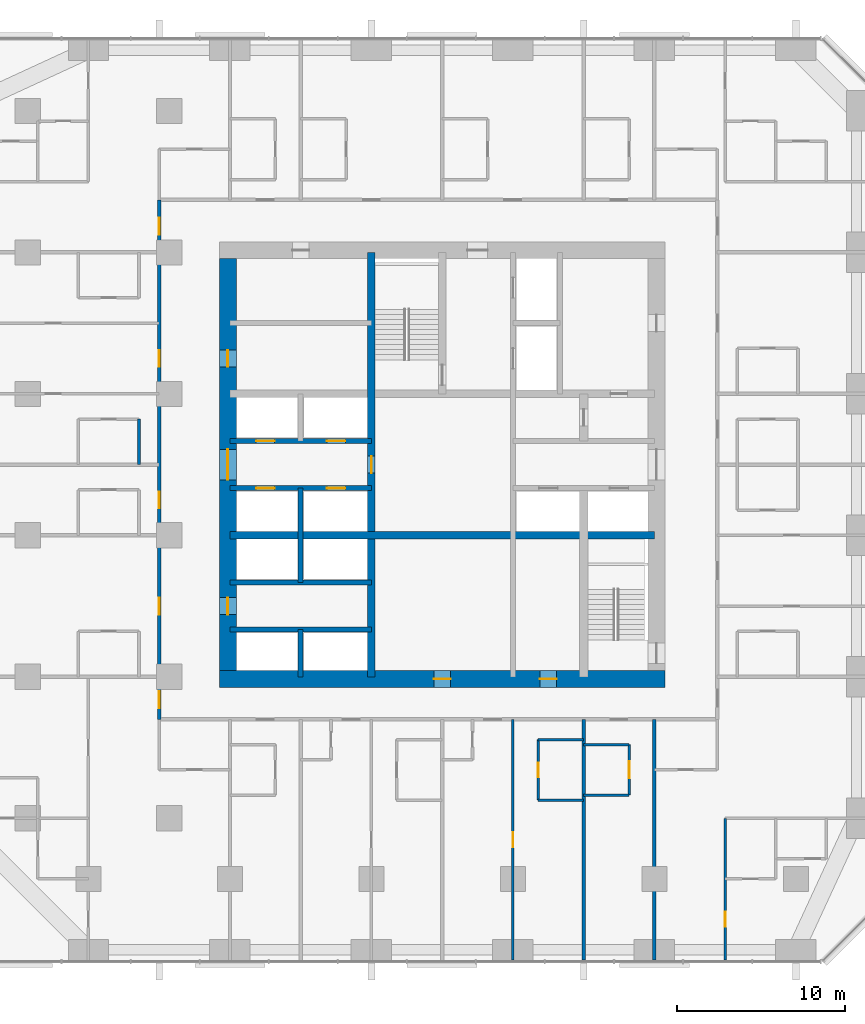
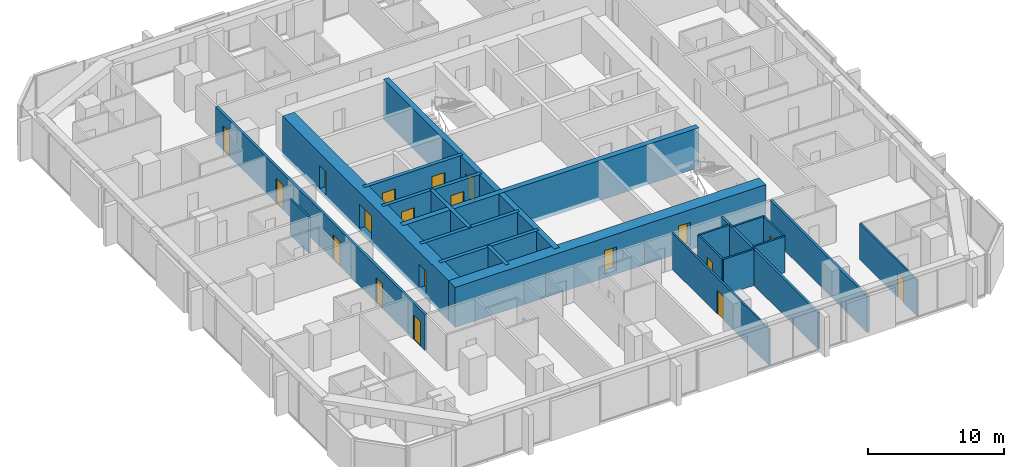
# One storey, part 9 of 14: 22 walls, 19 doors, 19 openings.
"""IFC4 building model written with IfcOpenShell, lengths in metres."""

from ifc_helpers import new_model, si_unit, direction, frame, frame_2d, origin, place, context, subcontext, project, spatial, rectangle, extrude, material, layer, layer_set, type_object, element, fill, save


model = new_model("IFC4")

# Units and contexts
model_context = context("Model", 3, precision=1e-05, world=origin(), true_north=direction((0.0, 1.0)))
body_context = subcontext(model_context, "Body", "Model", "MODEL_VIEW")
ifc_project = project(units=[si_unit("LENGTHUNIT", "METRE"), si_unit("AREAUNIT", "SQUARE_METRE"), si_unit("VOLUMEUNIT", "CUBIC_METRE"), si_unit("PLANEANGLEUNIT", "RADIAN"), si_unit("MASSUNIT", "GRAM", prefix="KILO")], contexts=[model_context])

# Site, building, storey
site_placement = place(None, origin())
site = spatial("IfcSite", under=ifc_project, at=site_placement, CompositionType="ELEMENT")
building_placement = place(site_placement, origin())
building = spatial("IfcBuilding", under=site, at=building_placement, Name="Dunama Terrace Hotel", CompositionType="ELEMENT")
storey_placement = place(building_placement, frame((0.0, 0.0, 136.800048828125)))
storey = spatial("IfcBuildingStorey", under=building, at=storey_placement, Name="L35", CompositionType="ELEMENT", Elevation=136.800048828125)

# Wall
ifc_material_1 = material(Name="Gypsum board partition", Category="masonry")
ifc_layer_1 = layer(ifc_material_1, 0.14990234375)
ifc_layer_set_1 = layer_set([ifc_layer_1], Name="Bathroom partition 150")
wall_type_1 = type_object("IfcWallType", Name="Bathroom partition 150", PredefinedType="PARTITIONING", material=ifc_layer_set_1)
wall_1_placement = place(storey_placement, frame((11.39990234375, 29.39990234375, 0.0), z_axis=(0.0, 0.0, 1.0), x_axis=(0.0, 1.0, 0.0)))
element("IfcWall", 1, at=wall_1_placement, inside=storey, type_object=wall_type_1, Name="Bathroom partition 150 L35", PredefinedType="PARTITIONING", context=body_context, shape_type="SweptSolid", body=[
    extrude(rectangle(XDim=2.7001953125, YDim=0.14990234375, at=frame_2d((1.35009765625, 0.0))), origin(), (0.0, 0.0, 1.0), 3.25),
])

# Wall, opening, door
wall_2_placement = place(storey_placement, frame((35.10009765625, 9.47509765625, 0.0), z_axis=(0.0, 0.0, 1.0), x_axis=(0.0, 1.0, 0.0)))
wall_2 = element("IfcWall", 2, at=wall_2_placement, inside=storey, type_object=wall_type_1, Name="Bathroom partition 150 L35", PredefinedType="PARTITIONING", context=body_context, shape_type="SweptSolid", body=[
    extrude(rectangle(XDim=3.599853515625, YDim=0.14990234375, at=frame_2d((1.7998046875, 0.0))), origin(), (0.0, 0.0, 1.0), 3.25),
])
opening_1_placement = place(wall_2_placement, frame((1.375, 0.0, 0.0)))
opening_1 = element("IfcOpeningElement", 3, at=opening_1_placement, cuts=wall_2, Name="Opening L34-36-020", PredefinedType="OPENING", context=body_context, shape_type="SweptSolid", body=[
    extrude(rectangle(XDim=0.85009765625, YDim=2.10009765625, at=frame_2d((0.425048828125, 1.050048828125))), frame((0.0, 0.0849609375, 0.0), z_axis=(0.0, -1.0, 0.0), x_axis=(1.0, 0.0, 0.0)), (0.0, 0.0, 1.0), 0.169921875),
])
ifc_material_2 = material(Name="Timber door with steel frame", Category="steel")
door_type_1 = type_object("IfcDoorType", Name="Bathroom door 850", OperationType="SINGLE_SWING_LEFT", PredefinedType="DOOR", material=ifc_material_2)
door_1_placement = place(opening_1_placement, frame((0.85009765625, 0.0, 0.0), z_axis=(0.0, 0.0, 1.0), x_axis=(-1.0, 0.0, 0.0)))
door_1 = element("IfcDoor", 4, at=door_1_placement, inside=storey, type_object=door_type_1, Name="Door to en-suite bathroom L34-36-020, type D2", OperationType="SINGLE_SWING_RIGHT", OverallHeight=2.10009765625, OverallWidth=0.85009765625, PredefinedType="DOOR", context=body_context, shape_type="SweptSolid", body=[
    extrude(rectangle(XDim=0.85009765625, YDim=2.10009765625, at=frame_2d((0.425048828125, 1.050048828125))), frame((0.0, 0.025146484375, 0.0), z_axis=(0.0, -1.0, 0.0), x_axis=(1.0, 0.0, 0.0)), (0.0, 0.0, 1.0), 0.050048828125),
])
fill(opening_1, door_1)

wall_3_placement = place(storey_placement, frame((40.5, 9.77490234375, 0.0), z_axis=(0.0, 0.0, 1.0), x_axis=(0.0, 1.0, 0.0)))
wall_3 = element("IfcWall", 5, at=wall_3_placement, inside=storey, type_object=wall_type_1, Name="Bathroom partition 150 L35", PredefinedType="PARTITIONING", context=body_context, shape_type="SweptSolid", body=[
    extrude(rectangle(XDim=3.0, YDim=0.14990234375, at=frame_2d((1.5, 0.0))), origin(), (0.0, 0.0, 1.0), 3.25),
])
opening_2_placement = place(wall_3_placement, frame((1.0, 0.0, 0.0)))
opening_2 = element("IfcOpeningElement", 6, at=opening_2_placement, cuts=wall_3, Name="Opening L34-36-022", PredefinedType="OPENING", context=body_context, shape_type="SweptSolid", body=[
    extrude(rectangle(XDim=1.0, YDim=2.10009765625, at=frame_2d((0.5, 1.050048828125))), frame((0.0, 0.0849609375, 0.0), z_axis=(0.0, -1.0, 0.0), x_axis=(1.0, 0.0, 0.0)), (0.0, 0.0, 1.0), 0.169921875),
])
ifc_material_3 = material(Name="Timber door with steel frame", Category="steel")
door_type_2 = type_object("IfcDoorType", Name="Accessible room door 1000", OperationType="SINGLE_SWING_LEFT", PredefinedType="DOOR", material=ifc_material_3)
door_2_placement = place(opening_2_placement, origin())
door_2 = element("IfcDoor", 7, at=door_2_placement, inside=storey, type_object=door_type_2, Name="Door to accessible en-suite bathroom L34-36-022, type D17", OperationType="SINGLE_SWING_LEFT", OverallHeight=2.10009765625, OverallWidth=1.0, PredefinedType="DOOR", context=body_context, shape_type="SweptSolid", body=[
    extrude(rectangle(XDim=1.0, YDim=2.10009765625, at=frame_2d((0.5, 1.050048828125))), frame((0.0, 0.02490234375, 0.0), z_axis=(0.0, -1.0, 0.0), x_axis=(1.0, 0.0, 0.0)), (0.0, 0.0, 1.0), 0.050048828125),
])
fill(opening_2, door_2)

# Walls
for number, where, z_axis, x_axis, name in (
    (8, (35.10009765625, 9.47509765625, 0.0), (0.0, 0.0, 1.0), (1.0, 0.0, 0.0), "Bathroom partition 150 L35"),
    (9, (37.800048828125, 9.77490234375, 0.0), (0.0, 0.0, 1.0), (1.0, 0.0, 0.0), "Bathroom partition 150 L35"),
    (10, (37.800048828125, 12.77490234375, 0.0), (0.0, 0.0, 1.0), (1.0, 0.0, 0.0), "Bathroom partition 150 L35"),
    (11, (35.10009765625, 13.074951171875, 0.0), (0.0, 0.0, 1.0), (1.0, 0.0, 0.0), "Bathroom partition 150 L35"),
):
    element("IfcWall", number, at=place(storey_placement, frame(where, z_axis=z_axis, x_axis=x_axis)), inside=storey, type_object=wall_type_1, Name=name, PredefinedType="PARTITIONING", context=body_context, shape_type="SweptSolid", body=[
        extrude(rectangle(XDim=2.699951171875, YDim=0.14990234375, at=frame_2d((1.35009765625, 0.0))), origin(), (0.0, 0.0, 1.0), 3.25),
    ])
ifc_material_4 = material(Name="Concrete C50/60", Category="concrete")
ifc_layer_2 = layer(ifc_material_4, 0.300048828125)
ifc_layer_set_2 = layer_set([ifc_layer_2], Name="Core inner wall 300")
wall_type_2 = type_object("IfcWallType", Name="Core inner wall 300", PredefinedType="SHEAR", material=ifc_layer_set_2)
wall_4_placement = place(storey_placement, frame((21.0, 16.800048828125, -0.35009765625), z_axis=(0.0, 0.0, 1.0), x_axis=(0.0, 1.0, 0.0)))
element("IfcWall", 12, at=wall_4_placement, inside=storey, type_object=wall_type_2, Name="Core inner wall 300 L35", PredefinedType="SHEAR", context=body_context, shape_type="SweptSolid", body=[
    extrude(rectangle(XDim=2.800048828125, YDim=0.300048828125, at=frame_2d((1.39990234375, 0.0))), origin(), (0.0, 0.0, 1.0), 3.60009765625),
])
wall_5_placement = place(storey_placement, frame((21.0, 22.39990234375, -0.35009765625), z_axis=(0.0, 0.0, 1.0), x_axis=(0.0, 1.0, 0.0)))
element("IfcWall", 13, at=wall_5_placement, inside=storey, type_object=wall_type_2, Name="Core inner wall 300 L35", PredefinedType="SHEAR", context=body_context, shape_type="SweptSolid", body=[
    extrude(rectangle(XDim=5.60009765625, YDim=0.300048828125, at=frame_2d((2.800048828125, 0.0))), origin(), (0.0, 0.0, 1.0), 3.60009765625),
])
for number, where, z_axis, x_axis, name in (
    (14, (16.800048828125, 19.60009765625, -0.35009765625), (0.0, 0.0, 1.0), (1.0, 0.0, 0.0), "Core inner wall 300 L35"),
    (15, (16.800048828125, 22.39990234375, -0.35009765625), (0.0, 0.0, 1.0), (1.0, 0.0, 0.0), "Core inner wall 300 L35"),
):
    element("IfcWall", number, at=place(storey_placement, frame(where, z_axis=z_axis, x_axis=x_axis)), inside=storey, type_object=wall_type_2, Name=name, PredefinedType="SHEAR", context=body_context, shape_type="SweptSolid", body=[
        extrude(rectangle(XDim=8.39990234375, YDim=0.300048828125, at=frame_2d((4.199951171875, 0.0))), origin(), (0.0, 0.0, 1.0), 3.60009765625),
    ])

# Wall, openings, doors
wall_6_placement = place(storey_placement, frame((16.800048828125, 28.0, -0.35009765625), z_axis=(0.0, 0.0, 1.0), x_axis=(1.0, 0.0, 0.0)))
wall_6 = element("IfcWall", 16, at=wall_6_placement, inside=storey, type_object=wall_type_2, Name="Core inner wall 300 L35", PredefinedType="SHEAR", context=body_context, shape_type="SweptSolid", body=[
    extrude(rectangle(XDim=8.39990234375, YDim=0.300048828125, at=frame_2d((4.199951171875, 0.0))), origin(), (0.0, 0.0, 1.0), 3.60009765625),
])
opening_3_placement = place(wall_6_placement, frame((1.550048828125, 0.0, 0.35009765625)))
opening_3 = element("IfcOpeningElement", 17, at=opening_3_placement, cuts=wall_6, Name="Opening L34-36-005", PredefinedType="OPENING", context=body_context, shape_type="SweptSolid", body=[
    extrude(rectangle(XDim=1.10009765625, YDim=2.199951171875, at=frame_2d((0.550048828125, 1.10009765625))), frame((0.0, 0.159912109375, 0.0), z_axis=(0.0, -1.0, 0.0), x_axis=(1.0, 0.0, 0.0)), (0.0, 0.0, 1.0), 0.320068359375),
])
opening_4_placement = place(wall_6_placement, frame((5.75, 0.0, 0.35009765625)))
opening_4 = element("IfcOpeningElement", 18, at=opening_4_placement, cuts=wall_6, Name="Opening L34-36-006", PredefinedType="OPENING", context=body_context, shape_type="SweptSolid", body=[
    extrude(rectangle(XDim=1.10009765625, YDim=2.199951171875, at=frame_2d((0.550048828125, 1.10009765625))), frame((0.0, 0.159912109375, 0.0), z_axis=(0.0, -1.0, 0.0), x_axis=(1.0, 0.0, 0.0)), (0.0, 0.0, 1.0), 0.320068359375),
])
ifc_material_5 = material(Name="Stainless steel lift door", Category="steel")
door_type_3 = type_object("IfcDoorType", Name="Lift landing door 1100", OperationType="DOUBLE_DOOR_SLIDING", PredefinedType="DOOR", material=ifc_material_5)
door_3_placement = place(opening_3_placement, origin())
door_3 = element("IfcDoor", 19, at=door_3_placement, inside=storey, type_object=door_type_3, Name="Landing door PC1 L34-36-005, type LD1", OperationType="DOUBLE_DOOR_SLIDING", OverallHeight=2.199951171875, OverallWidth=1.10009765625, PredefinedType="DOOR", context=body_context, shape_type="SweptSolid", body=[
    extrude(rectangle(XDim=1.10009765625, YDim=2.199951171875, at=frame_2d((0.550048828125, 1.10009765625))), frame((0.0, 0.02490234375, 0.0), z_axis=(0.0, -1.0, 0.0), x_axis=(1.0, 0.0, 0.0)), (0.0, 0.0, 1.0), 0.050048828125),
])
fill(opening_3, door_3)
door_4_placement = place(opening_4_placement, origin())
door_4 = element("IfcDoor", 20, at=door_4_placement, inside=storey, type_object=door_type_3, Name="Landing door PC2 L34-36-006, type LD1", OperationType="DOUBLE_DOOR_SLIDING", OverallHeight=2.199951171875, OverallWidth=1.10009765625, PredefinedType="DOOR", context=body_context, shape_type="SweptSolid", body=[
    extrude(rectangle(XDim=1.10009765625, YDim=2.199951171875, at=frame_2d((0.550048828125, 1.10009765625))), frame((0.0, 0.02490234375, 0.0), z_axis=(0.0, -1.0, 0.0), x_axis=(1.0, 0.0, 0.0)), (0.0, 0.0, 1.0), 0.050048828125),
])
fill(opening_4, door_4)

wall_7_placement = place(storey_placement, frame((16.800048828125, 30.800048828125, -0.35009765625), z_axis=(0.0, 0.0, 1.0), x_axis=(1.0, 0.0, 0.0)))
wall_7 = element("IfcWall", 21, at=wall_7_placement, inside=storey, type_object=wall_type_2, Name="Core inner wall 300 L35", PredefinedType="SHEAR", context=body_context, shape_type="SweptSolid", body=[
    extrude(rectangle(XDim=8.39990234375, YDim=0.300048828125, at=frame_2d((4.199951171875, 0.0))), origin(), (0.0, 0.0, 1.0), 3.60009765625),
])
opening_5_placement = place(wall_7_placement, frame((1.550048828125, 0.0, 0.35009765625)))
opening_5 = element("IfcOpeningElement", 22, at=opening_5_placement, cuts=wall_7, Name="Opening L34-36-007", PredefinedType="OPENING", context=body_context, shape_type="SweptSolid", body=[
    extrude(rectangle(XDim=1.10009765625, YDim=2.199951171875, at=frame_2d((0.550048828125, 1.10009765625))), frame((0.0, 0.159912109375, 0.0), z_axis=(0.0, -1.0, 0.0), x_axis=(1.0, 0.0, 0.0)), (0.0, 0.0, 1.0), 0.320068359375),
])
opening_6_placement = place(wall_7_placement, frame((5.75, 0.0, 0.35009765625)))
opening_6 = element("IfcOpeningElement", 23, at=opening_6_placement, cuts=wall_7, Name="Opening L34-36-008", PredefinedType="OPENING", context=body_context, shape_type="SweptSolid", body=[
    extrude(rectangle(XDim=1.10009765625, YDim=2.199951171875, at=frame_2d((0.550048828125, 1.10009765625))), frame((0.0, 0.159912109375, 0.0), z_axis=(0.0, -1.0, 0.0), x_axis=(1.0, 0.0, 0.0)), (0.0, 0.0, 1.0), 0.320068359375),
])
door_5_placement = place(opening_5_placement, origin())
door_5 = element("IfcDoor", 24, at=door_5_placement, inside=storey, type_object=door_type_3, Name="Landing door PC3 L34-36-007, type LD1", OperationType="DOUBLE_DOOR_SLIDING", OverallHeight=2.199951171875, OverallWidth=1.10009765625, PredefinedType="DOOR", context=body_context, shape_type="SweptSolid", body=[
    extrude(rectangle(XDim=1.10009765625, YDim=2.199951171875, at=frame_2d((0.550048828125, 1.10009765625))), frame((0.0, 0.02490234375, 0.0), z_axis=(0.0, -1.0, 0.0), x_axis=(1.0, 0.0, 0.0)), (0.0, 0.0, 1.0), 0.050048828125),
])
fill(opening_5, door_5)
door_6_placement = place(opening_6_placement, origin())
door_6 = element("IfcDoor", 25, at=door_6_placement, inside=storey, type_object=door_type_3, Name="Landing door PC4 L34-36-008, type LD1", OperationType="DOUBLE_DOOR_SLIDING", OverallHeight=2.199951171875, OverallWidth=1.10009765625, PredefinedType="DOOR", context=body_context, shape_type="SweptSolid", body=[
    extrude(rectangle(XDim=1.10009765625, YDim=2.199951171875, at=frame_2d((0.550048828125, 1.10009765625))), frame((0.0, 0.02490234375, 0.0), z_axis=(0.0, -1.0, 0.0), x_axis=(1.0, 0.0, 0.0)), (0.0, 0.0, 1.0), 0.050048828125),
])
fill(opening_6, door_6)

# Wall, opening, door
ifc_material_6 = material(Name="Concrete C50/60", Category="concrete")
ifc_layer_3 = layer(ifc_material_6, 0.449951171875)
ifc_layer_set_3 = layer_set([ifc_layer_3], Name="Core inner wall 450")
wall_type_3 = type_object("IfcWallType", Name="Core inner wall 450", PredefinedType="SHEAR", material=ifc_layer_set_3)
wall_8_placement = place(storey_placement, frame((25.199951171875, 16.800048828125, -0.35009765625), z_axis=(0.0, 0.0, 1.0), x_axis=(0.0, 1.0, 0.0)))
wall_8 = element("IfcWall", 26, at=wall_8_placement, inside=storey, type_object=wall_type_3, Name="Core inner wall 450 L35", PredefinedType="SHEAR", context=body_context, shape_type="SweptSolid", body=[
    extrude(rectangle(XDim=25.199951171875, YDim=0.449951171875, at=frame_2d((12.60009765625, 0.0))), origin(), (0.0, 0.0, 1.0), 3.60009765625),
])
opening_7_placement = place(wall_8_placement, frame((12.10009765625, 0.0, 0.35009765625)))
opening_7 = element("IfcOpeningElement", 27, at=opening_7_placement, cuts=wall_8, Name="Opening L34-36-074", PredefinedType="OPENING", context=body_context, shape_type="SweptSolid", body=[
    extrude(rectangle(XDim=1.0, YDim=2.10009765625, at=frame_2d((0.5, 1.050048828125))), frame((0.0, 0.23486328125, 0.0), z_axis=(0.0, -1.0, 0.0), x_axis=(1.0, 0.0, 0.0)), (0.0, 0.0, 1.0), 0.469970703125),
])
ifc_material_7 = material(Name="Timber door with steel frame", Category="steel")
door_type_4 = type_object("IfcDoorType", Name="Service door 1000", OperationType="SINGLE_SWING_LEFT", PredefinedType="DOOR", material=ifc_material_7)
door_7_placement = place(opening_7_placement, frame((1.0, 0.0, 0.0), z_axis=(0.0, 0.0, 1.0), x_axis=(-1.0, 0.0, 0.0)))
door_7 = element("IfcDoor", 28, at=door_7_placement, inside=storey, type_object=door_type_4, Name="Door to guest pantry L34-36-074, type D7", OperationType="SINGLE_SWING_RIGHT", OverallHeight=2.10009765625, OverallWidth=1.0, PredefinedType="DOOR", context=body_context, shape_type="SweptSolid", body=[
    extrude(rectangle(XDim=1.0, YDim=2.10009765625, at=frame_2d((0.5, 1.050048828125))), frame((0.0, 0.025146484375, 0.0), z_axis=(0.0, -1.0, 0.0), x_axis=(1.0, 0.0, 0.0)), (0.0, 0.0, 1.0), 0.050048828125),
])
fill(opening_7, door_7)

# Wall
wall_9_placement = place(storey_placement, frame((16.800048828125, 25.199951171875, -0.35009765625), z_axis=(0.0, 0.0, 1.0), x_axis=(1.0, 0.0, 0.0)))
element("IfcWall", 29, at=wall_9_placement, inside=storey, type_object=wall_type_3, Name="Core inner wall 450 L35", PredefinedType="SHEAR", context=body_context, shape_type="SweptSolid", body=[
    extrude(rectangle(XDim=25.199951171875, YDim=0.449951171875, at=frame_2d((12.60009765625, 0.0))), origin(), (0.0, 0.0, 1.0), 3.60009765625),
])

# Wall, openings, doors
ifc_material_8 = material(Name="Concrete C60/75", Category="concrete")
ifc_layer_4 = layer(ifc_material_8, 1.0)
ifc_layer_set_4 = layer_set([ifc_layer_4], Name="Core wall 1000")
wall_type_4 = type_object("IfcWallType", Name="Core wall 1000", PredefinedType="SHEAR", material=ifc_layer_set_4)
wall_10_placement = place(storey_placement, frame((16.175048828125, 16.675048828125, -0.35009765625), z_axis=(0.0, 0.0, 1.0), x_axis=(1.0, 0.0, 0.0)))
wall_10 = element("IfcWall", 30, at=wall_10_placement, inside=storey, type_object=wall_type_4, Name="Core wall south L35", PredefinedType="SHEAR", context=body_context, shape_type="SweptSolid", body=[
    extrude(rectangle(XDim=26.449951171875, YDim=1.0, at=frame_2d((13.22509765625, 0.0))), origin(), (0.0, 0.0, 1.0), 3.60009765625),
])
opening_8_placement = place(wall_10_placement, frame((12.72509765625, 0.0, 0.35009765625)))
opening_8 = element("IfcOpeningElement", 31, at=opening_8_placement, cuts=wall_10, Name="Opening L34-36-080", PredefinedType="OPENING", context=body_context, shape_type="SweptSolid", body=[
    extrude(rectangle(XDim=1.0, YDim=2.10009765625, at=frame_2d((0.5, 1.050048828125))), frame((0.0, 0.510009765625, 0.0), z_axis=(0.0, -1.0, 0.0), x_axis=(1.0, 0.0, 0.0)), (0.0, 0.0, 1.0), 1.02001953125),
])
opening_9_placement = place(wall_10_placement, frame((19.02490234375, 0.0, 0.35009765625)))
opening_9 = element("IfcOpeningElement", 32, at=opening_9_placement, cuts=wall_10, Name="Opening L34-36-081", PredefinedType="OPENING", context=body_context, shape_type="SweptSolid", body=[
    extrude(rectangle(XDim=1.0, YDim=2.10009765625, at=frame_2d((0.5, 1.050048828125))), frame((0.0, 0.510009765625, 0.0), z_axis=(0.0, -1.0, 0.0), x_axis=(1.0, 0.0, 0.0)), (0.0, 0.0, 1.0), 1.02001953125),
])
door_8_placement = place(opening_8_placement, origin())
door_8 = element("IfcDoor", 33, at=door_8_placement, inside=storey, type_object=door_type_4, Name="Door to corridor air handling room L34-36-080, type D7", OperationType="SINGLE_SWING_LEFT", OverallHeight=2.10009765625, OverallWidth=1.0, PredefinedType="DOOR", context=body_context, shape_type="SweptSolid", body=[
    extrude(rectangle(XDim=1.0, YDim=2.10009765625, at=frame_2d((0.5, 1.050048828125))), frame((0.0, 0.02490234375, 0.0), z_axis=(0.0, -1.0, 0.0), x_axis=(1.0, 0.0, 0.0)), (0.0, 0.0, 1.0), 0.050048828125),
])
fill(opening_8, door_8)
door_9_placement = place(opening_9_placement, origin())
door_9 = element("IfcDoor", 34, at=door_9_placement, inside=storey, type_object=door_type_4, Name="Door to water riser room L34-36-081, type D7", OperationType="SINGLE_SWING_RIGHT", OverallHeight=2.10009765625, OverallWidth=1.0, PredefinedType="DOOR", context=body_context, shape_type="SweptSolid", body=[
    extrude(rectangle(XDim=1.0, YDim=2.10009765625, at=frame_2d((0.5, 1.050048828125))), frame((0.0, 0.02490234375, 0.0), z_axis=(0.0, -1.0, 0.0), x_axis=(1.0, 0.0, 0.0)), (0.0, 0.0, 1.0), 0.050048828125),
])
fill(opening_9, door_9)

wall_11_placement = place(storey_placement, frame((16.675048828125, 41.625, -0.35009765625), z_axis=(0.0, 0.0, 1.0), x_axis=(0.0, -1.0, 0.0)))
wall_11 = element("IfcWall", 35, at=wall_11_placement, inside=storey, type_object=wall_type_4, Name="Core wall west L35", PredefinedType="SHEAR", context=body_context, shape_type="SweptSolid", body=[
    extrude(rectangle(XDim=24.449951171875, YDim=1.0, at=frame_2d((12.22509765625, 0.0))), origin(), (0.0, 0.0, 1.0), 3.60009765625),
])
opening_10_placement = place(wall_11_placement, frame((11.324951171875, 0.0, 0.35009765625)))
opening_10 = element("IfcOpeningElement", 36, at=opening_10_placement, cuts=wall_11, Name="Opening L34-36-070", PredefinedType="OPENING", context=body_context, shape_type="SweptSolid", body=[
    extrude(rectangle(XDim=1.800048828125, YDim=2.199951171875, at=frame_2d((0.89990234375, 1.10009765625))), frame((0.0, 0.510009765625, 0.0), z_axis=(0.0, -1.0, 0.0), x_axis=(1.0, 0.0, 0.0)), (0.0, 0.0, 1.0), 1.02001953125),
])
opening_11_placement = place(wall_11_placement, frame((20.125, 0.0, 0.35009765625)))
opening_11 = element("IfcOpeningElement", 37, at=opening_11_placement, cuts=wall_11, Name="Opening L34-36-071", PredefinedType="OPENING", context=body_context, shape_type="SweptSolid", body=[
    extrude(rectangle(XDim=1.0, YDim=2.10009765625, at=frame_2d((0.5, 1.050048828125))), frame((0.0, 0.510009765625, 0.0), z_axis=(0.0, -1.0, 0.0), x_axis=(1.0, 0.0, 0.0)), (0.0, 0.0, 1.0), 1.02001953125),
])
opening_12_placement = place(wall_11_placement, frame((5.425048828125, 0.0, 0.35009765625)))
opening_12 = element("IfcOpeningElement", 38, at=opening_12_placement, cuts=wall_11, Name="Opening L34-36-072", PredefinedType="OPENING", context=body_context, shape_type="SweptSolid", body=[
    extrude(rectangle(XDim=1.0, YDim=2.10009765625, at=frame_2d((0.5, 1.050048828125))), frame((0.0, 0.510009765625, 0.0), z_axis=(0.0, -1.0, 0.0), x_axis=(1.0, 0.0, 0.0)), (0.0, 0.0, 1.0), 1.02001953125),
])
ifc_material_9 = material(Name="Timber door with steel frame", Category="steel")
door_type_5 = type_object("IfcDoorType", Name="Lift lobby double door 1800", OperationType="DOUBLE_DOOR_DOUBLE_SWING", PredefinedType="DOOR", material=ifc_material_9)
door_10_placement = place(opening_10_placement, origin())
door_10 = element("IfcDoor", 39, at=door_10_placement, inside=storey, type_object=door_type_5, Name="Door to lift lobby L34-36-070, type D3", OperationType="DOUBLE_DOOR_DOUBLE_SWING", OverallHeight=2.199951171875, OverallWidth=1.800048828125, PredefinedType="DOOR", context=body_context, shape_type="SweptSolid", body=[
    extrude(rectangle(XDim=1.800048828125, YDim=2.199951171875, at=frame_2d((0.89990234375, 1.10009765625))), frame((0.0, 0.02490234375, 0.0), z_axis=(0.0, -1.0, 0.0), x_axis=(1.0, 0.0, 0.0)), (0.0, 0.0, 1.0), 0.050048828125),
])
fill(opening_10, door_10)
door_11_placement = place(opening_11_placement, origin())
door_11 = element("IfcDoor", 40, at=door_11_placement, inside=storey, type_object=door_type_4, Name="Door to service lobby L34-36-071, type D7", OperationType="SINGLE_SWING_LEFT", OverallHeight=2.10009765625, OverallWidth=1.0, PredefinedType="DOOR", context=body_context, shape_type="SweptSolid", body=[
    extrude(rectangle(XDim=1.0, YDim=2.10009765625, at=frame_2d((0.5, 1.050048828125))), frame((0.0, 0.02490234375, 0.0), z_axis=(0.0, -1.0, 0.0), x_axis=(1.0, 0.0, 0.0)), (0.0, 0.0, 1.0), 0.050048828125),
])
fill(opening_11, door_11)
door_12_placement = place(opening_12_placement, origin())
door_12 = element("IfcDoor", 41, at=door_12_placement, inside=storey, type_object=door_type_4, Name="Door to electrical room L34-36-072, type D7", OperationType="SINGLE_SWING_RIGHT", OverallHeight=2.10009765625, OverallWidth=1.0, PredefinedType="DOOR", context=body_context, shape_type="SweptSolid", body=[
    extrude(rectangle(XDim=1.0, YDim=2.10009765625, at=frame_2d((0.5, 1.050048828125))), frame((0.0, 0.02490234375, 0.0), z_axis=(0.0, -1.0, 0.0), x_axis=(1.0, 0.0, 0.0)), (0.0, 0.0, 1.0), 0.050048828125),
])
fill(opening_12, door_12)

ifc_material_10 = material(Name="Concrete blockwork", Category="masonry")
ifc_layer_5 = layer(ifc_material_10, 0.199951171875)
ifc_layer_set_5 = layer_set([ifc_layer_5], Name="Corridor partition 200")
wall_type_5 = type_object("IfcWallType", Name="Corridor partition 200", PredefinedType="PARTITIONING", material=ifc_layer_set_5)
wall_12_placement = place(storey_placement, frame((12.60009765625, 14.27490234375, 0.0), z_axis=(0.0, 0.0, 1.0), x_axis=(0.0, 1.0, 0.0)))
wall_12 = element("IfcWall", 42, at=wall_12_placement, inside=storey, type_object=wall_type_5, Name="Corridor partition 200 L35", PredefinedType="PARTITIONING", context=body_context, shape_type="SweptSolid", body=[
    extrude(rectangle(XDim=30.85009765625, YDim=0.199951171875, at=frame_2d((15.425048828125, 0.0))), origin(), (0.0, 0.0, 1.0), 3.25),
])
opening_13_placement = place(wall_12_placement, frame((6.22509765625, 0.0, 0.0)))
opening_13 = element("IfcOpeningElement", 43, at=opening_13_placement, cuts=wall_12, Name="Opening L34-36-040", PredefinedType="OPENING", context=body_context, shape_type="SweptSolid", body=[
    extrude(rectangle(XDim=1.0, YDim=2.199951171875, at=frame_2d((0.5, 1.10009765625))), frame((0.0, 0.10986328125, 0.0), z_axis=(0.0, -1.0, 0.0), x_axis=(1.0, 0.0, 0.0)), (0.0, 0.0, 1.0), 0.219970703125),
])
opening_14_placement = place(wall_12_placement, frame((12.52490234375, 0.0, 0.0)))
opening_14 = element("IfcOpeningElement", 44, at=opening_14_placement, cuts=wall_12, Name="Opening L34-36-042", PredefinedType="OPENING", context=body_context, shape_type="SweptSolid", body=[
    extrude(rectangle(XDim=1.0, YDim=2.199951171875, at=frame_2d((0.5, 1.10009765625))), frame((0.0, 0.10986328125, 0.0), z_axis=(0.0, -1.0, 0.0), x_axis=(1.0, 0.0, 0.0)), (0.0, 0.0, 1.0), 0.219970703125),
])
opening_15_placement = place(wall_12_placement, frame((20.925048828125, 0.0, 0.0)))
opening_15 = element("IfcOpeningElement", 45, at=opening_15_placement, cuts=wall_12, Name="Opening L34-36-044", PredefinedType="OPENING", context=body_context, shape_type="SweptSolid", body=[
    extrude(rectangle(XDim=1.0, YDim=2.199951171875, at=frame_2d((0.5, 1.10009765625))), frame((0.0, 0.10986328125, 0.0), z_axis=(0.0, -1.0, 0.0), x_axis=(1.0, 0.0, 0.0)), (0.0, 0.0, 1.0), 0.219970703125),
])
opening_16_placement = place(wall_12_placement, frame((0.6630859375, 0.0, 0.0)))
opening_16 = element("IfcOpeningElement", 46, at=opening_16_placement, cuts=wall_12, Name="Opening L34-36-049", PredefinedType="OPENING", context=body_context, shape_type="SweptSolid", body=[
    extrude(rectangle(XDim=1.0, YDim=2.199951171875, at=frame_2d((0.5, 1.10009765625))), frame((0.0, 0.10986328125, 0.0), z_axis=(0.0, -1.0, 0.0), x_axis=(1.0, 0.0, 0.0)), (0.0, 0.0, 1.0), 0.219970703125),
])
opening_17_placement = place(wall_12_placement, frame((28.787109375, 0.0, 0.0)))
opening_17 = element("IfcOpeningElement", 47, at=opening_17_placement, cuts=wall_12, Name="Opening L34-36-065", PredefinedType="OPENING", context=body_context, shape_type="SweptSolid", body=[
    extrude(rectangle(XDim=1.0, YDim=2.199951171875, at=frame_2d((0.5, 1.10009765625))), frame((0.0, 0.10986328125, 0.0), z_axis=(0.0, -1.0, 0.0), x_axis=(1.0, 0.0, 0.0)), (0.0, 0.0, 1.0), 0.219970703125),
])
ifc_material_11 = material(Name="Timber door with steel frame", Category="steel")
door_type_6 = type_object("IfcDoorType", Name="Guest room door 1000", OperationType="SINGLE_SWING_LEFT", PredefinedType="DOOR", material=ifc_material_11)
door_13_placement = place(opening_13_placement, origin())
door_13 = element("IfcDoor", 48, at=door_13_placement, inside=storey, type_object=door_type_6, Name="Door to junior suite L34-36-040, type D1", OperationType="SINGLE_SWING_LEFT", OverallHeight=2.199951171875, OverallWidth=1.0, PredefinedType="DOOR", context=body_context, shape_type="SweptSolid", body=[
    extrude(rectangle(XDim=1.0, YDim=2.199951171875, at=frame_2d((0.5, 1.10009765625))), frame((0.0, 0.02490234375, 0.0), z_axis=(0.0, -1.0, 0.0), x_axis=(1.0, 0.0, 0.0)), (0.0, 0.0, 1.0), 0.050048828125),
])
fill(opening_13, door_13)
door_14_placement = place(opening_14_placement, origin())
door_14 = element("IfcDoor", 49, at=door_14_placement, inside=storey, type_object=door_type_6, Name="Door to premier room L34-36-042, type D1", OperationType="SINGLE_SWING_LEFT", OverallHeight=2.199951171875, OverallWidth=1.0, PredefinedType="DOOR", context=body_context, shape_type="SweptSolid", body=[
    extrude(rectangle(XDim=1.0, YDim=2.199951171875, at=frame_2d((0.5, 1.10009765625))), frame((0.0, 0.02490234375, 0.0), z_axis=(0.0, -1.0, 0.0), x_axis=(1.0, 0.0, 0.0)), (0.0, 0.0, 1.0), 0.050048828125),
])
fill(opening_14, door_14)
door_15_placement = place(opening_15_placement, origin())
door_15 = element("IfcDoor", 50, at=door_15_placement, inside=storey, type_object=door_type_6, Name="Door to family suite living room L34-36-044, type D1", OperationType="SINGLE_SWING_LEFT", OverallHeight=2.199951171875, OverallWidth=1.0, PredefinedType="DOOR", context=body_context, shape_type="SweptSolid", body=[
    extrude(rectangle(XDim=1.0, YDim=2.199951171875, at=frame_2d((0.5, 1.10009765625))), frame((0.0, 0.02490234375, 0.0), z_axis=(0.0, -1.0, 0.0), x_axis=(1.0, 0.0, 0.0)), (0.0, 0.0, 1.0), 0.050048828125),
])
fill(opening_15, door_15)
door_16_placement = place(opening_16_placement, origin())
door_16 = element("IfcDoor", 51, at=door_16_placement, inside=storey, type_object=door_type_6, Name="Door to corner suite living room L34-36-049, type D1", OperationType="SINGLE_SWING_RIGHT", OverallHeight=2.199951171875, OverallWidth=1.0, PredefinedType="DOOR", context=body_context, shape_type="SweptSolid", body=[
    extrude(rectangle(XDim=1.0, YDim=2.199951171875, at=frame_2d((0.5, 1.10009765625))), frame((0.0, 0.02490234375, 0.0), z_axis=(0.0, -1.0, 0.0), x_axis=(1.0, 0.0, 0.0)), (0.0, 0.0, 1.0), 0.050048828125),
])
fill(opening_16, door_16)
door_17_placement = place(opening_17_placement, origin())
door_17 = element("IfcDoor", 52, at=door_17_placement, inside=storey, type_object=door_type_6, Name="Door to corner suite living room L34-36-065, type D1", OperationType="SINGLE_SWING_LEFT", OverallHeight=2.199951171875, OverallWidth=1.0, PredefinedType="DOOR", context=body_context, shape_type="SweptSolid", body=[
    extrude(rectangle(XDim=1.0, YDim=2.199951171875, at=frame_2d((0.5, 1.10009765625))), frame((0.0, 0.02490234375, 0.0), z_axis=(0.0, -1.0, 0.0), x_axis=(1.0, 0.0, 0.0)), (0.0, 0.0, 1.0), 0.050048828125),
])
fill(opening_17, door_17)

# Walls
ifc_material_12 = material(Name="Concrete blockwork", Category="masonry")
ifc_layer_6 = layer(ifc_material_12, 0.199951171875)
ifc_layer_set_6 = layer_set([ifc_layer_6], Name="Party wall 200")
wall_type_6 = type_object("IfcWallType", Name="Party wall 200", PredefinedType="PARTITIONING", material=ifc_layer_set_6)
for number, where, z_axis, x_axis, name in (
    (53, (37.800048828125, -0.01806640625, 0.0), (0.0, 0.0, 1.0), (0.0, 1.0, 0.0), "Party wall 200 L35"),
    (54, (42.0, -0.01806640625, 0.0), (0.0, 0.0, 1.0), (0.0, 1.0, 0.0), "Party wall 200 L35"),
):
    element("IfcWall", number, at=place(storey_placement, frame(where, z_axis=z_axis, x_axis=x_axis)), inside=storey, type_object=wall_type_6, Name=name, PredefinedType="PARTITIONING", context=body_context, shape_type="SweptSolid", body=[
        extrude(rectangle(XDim=14.29296875, YDim=0.199951171875, at=frame_2d((7.146484375, 0.0))), origin(), (0.0, 0.0, 1.0), 3.25),
    ])

# Wall, opening, door
ifc_material_13 = material(Name="Gypsum board partition", Category="masonry")
ifc_layer_7 = layer(ifc_material_13, 0.14990234375)
ifc_layer_set_7 = layer_set([ifc_layer_7], Name="Room partition 150")
wall_type_7 = type_object("IfcWallType", Name="Room partition 150", PredefinedType="PARTITIONING", material=ifc_layer_set_7)
wall_13_placement = place(storey_placement, frame((33.60009765625, -0.01806640625, 0.0), z_axis=(0.0, 0.0, 1.0), x_axis=(0.0, 1.0, 0.0)))
wall_13 = element("IfcWall", 55, at=wall_13_placement, inside=storey, type_object=wall_type_7, Name="Room partition 150 L35", PredefinedType="PARTITIONING", context=body_context, shape_type="SweptSolid", body=[
    extrude(rectangle(XDim=14.29296875, YDim=0.14990234375, at=frame_2d((7.146484375, 0.0))), origin(), (0.0, 0.0, 1.0), 3.25),
])
opening_18_placement = place(wall_13_placement, frame((6.7060546875, 0.0, 0.0)))
opening_18 = element("IfcOpeningElement", 56, at=opening_18_placement, cuts=wall_13, Name="Opening L34-36-019", PredefinedType="OPENING", context=body_context, shape_type="SweptSolid", body=[
    extrude(rectangle(XDim=0.89990234375, YDim=2.10009765625, at=frame_2d((0.449951171875, 1.050048828125))), frame((0.0, 0.0849609375, 0.0), z_axis=(0.0, -1.0, 0.0), x_axis=(1.0, 0.0, 0.0)), (0.0, 0.0, 1.0), 0.169921875),
])
ifc_material_14 = material(Name="Timber door with steel frame", Category="steel")
door_type_7 = type_object("IfcDoorType", Name="Suite internal door 900", OperationType="SINGLE_SWING_LEFT", PredefinedType="DOOR", material=ifc_material_14)
door_18_placement = place(opening_18_placement, frame((0.89990234375, 0.0, 0.0), z_axis=(0.0, 0.0, 1.0), x_axis=(-1.0, 0.0, 0.0)))
door_18 = element("IfcDoor", 57, at=door_18_placement, inside=storey, type_object=door_type_7, Name="Door to premier suite bedroom L34-36-019, type D16", OperationType="SINGLE_SWING_RIGHT", OverallHeight=2.10009765625, OverallWidth=0.89990234375, PredefinedType="DOOR", context=body_context, shape_type="SweptSolid", body=[
    extrude(rectangle(XDim=0.89990234375, YDim=2.10009765625, at=frame_2d((0.449951171875, 1.050048828125))), frame((0.0, 0.025146484375, 0.0), z_axis=(0.0, -1.0, 0.0), x_axis=(1.0, 0.0, 0.0)), (0.0, 0.0, 1.0), 0.050048828125),
])
fill(opening_18, door_18)

wall_14_placement = place(storey_placement, frame((46.199951171875, -0.01806640625, 0.0), z_axis=(0.0, 0.0, 1.0), x_axis=(0.0, 1.0, 0.0)))
wall_14 = element("IfcWall", 58, at=wall_14_placement, inside=storey, type_object=wall_type_7, Name="Room partition 150 L35", PredefinedType="PARTITIONING", context=body_context, shape_type="SweptSolid", body=[
    extrude(rectangle(XDim=8.41796875, YDim=0.14990234375, at=frame_2d((4.208984375, 0.0))), origin(), (0.0, 0.0, 1.0), 3.25),
])
opening_19_placement = place(wall_14_placement, frame((1.968017578125, 0.0, 0.0)))
opening_19 = element("IfcOpeningElement", 59, at=opening_19_placement, cuts=wall_14, Name="Opening L34-36-057", PredefinedType="OPENING", context=body_context, shape_type="SweptSolid", body=[
    extrude(rectangle(XDim=0.89990234375, YDim=2.10009765625, at=frame_2d((0.449951171875, 1.050048828125))), frame((0.0, 0.0849609375, 0.0), z_axis=(0.0, -1.0, 0.0), x_axis=(1.0, 0.0, 0.0)), (0.0, 0.0, 1.0), 0.169921875),
])
door_19_placement = place(opening_19_placement, frame((0.89990234375, 0.0, 0.0), z_axis=(0.0, 0.0, 1.0), x_axis=(-1.0, 0.0, 0.0)))
door_19 = element("IfcDoor", 60, at=door_19_placement, inside=storey, type_object=door_type_7, Name="Door to corner suite bedroom L34-36-057, type D16", OperationType="SINGLE_SWING_LEFT", OverallHeight=2.10009765625, OverallWidth=0.89990234375, PredefinedType="DOOR", context=body_context, shape_type="SweptSolid", body=[
    extrude(rectangle(XDim=0.89990234375, YDim=2.10009765625, at=frame_2d((0.449951171875, 1.050048828125))), frame((0.0, 0.025146484375, 0.0), z_axis=(0.0, -1.0, 0.0), x_axis=(1.0, 0.0, 0.0)), (0.0, 0.0, 1.0), 0.050048828125),
])
fill(opening_19, door_19)

save(model, "model.ifc")
